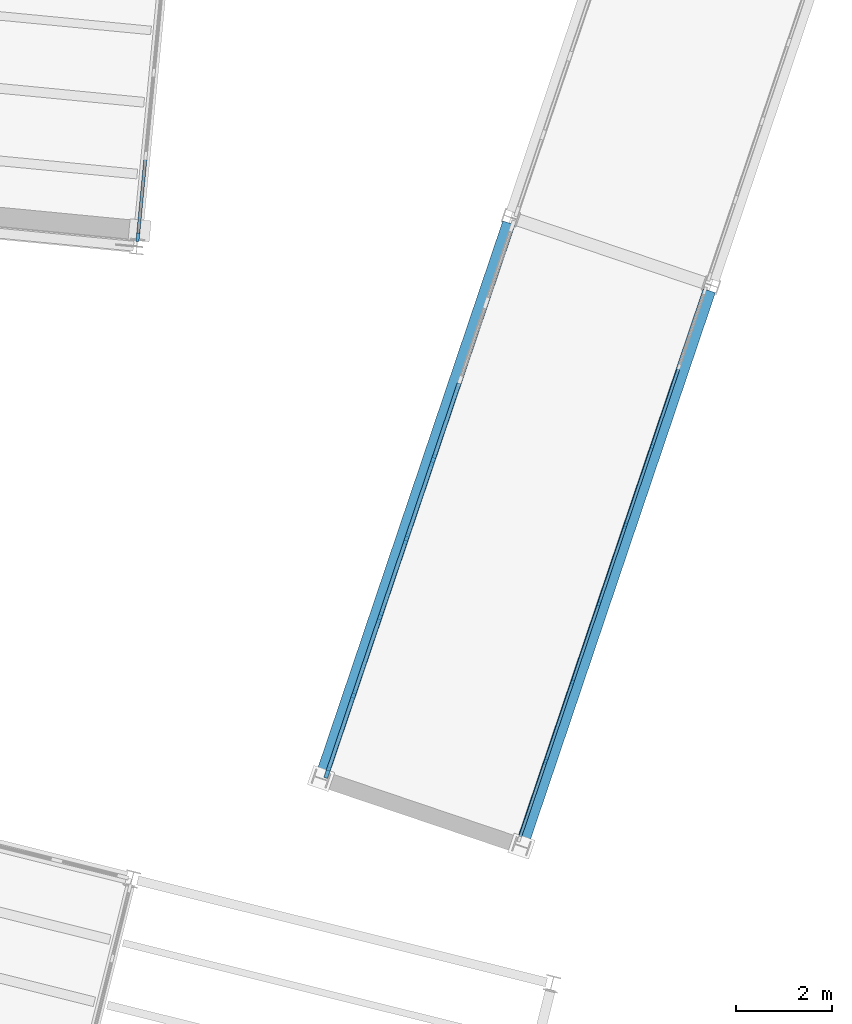
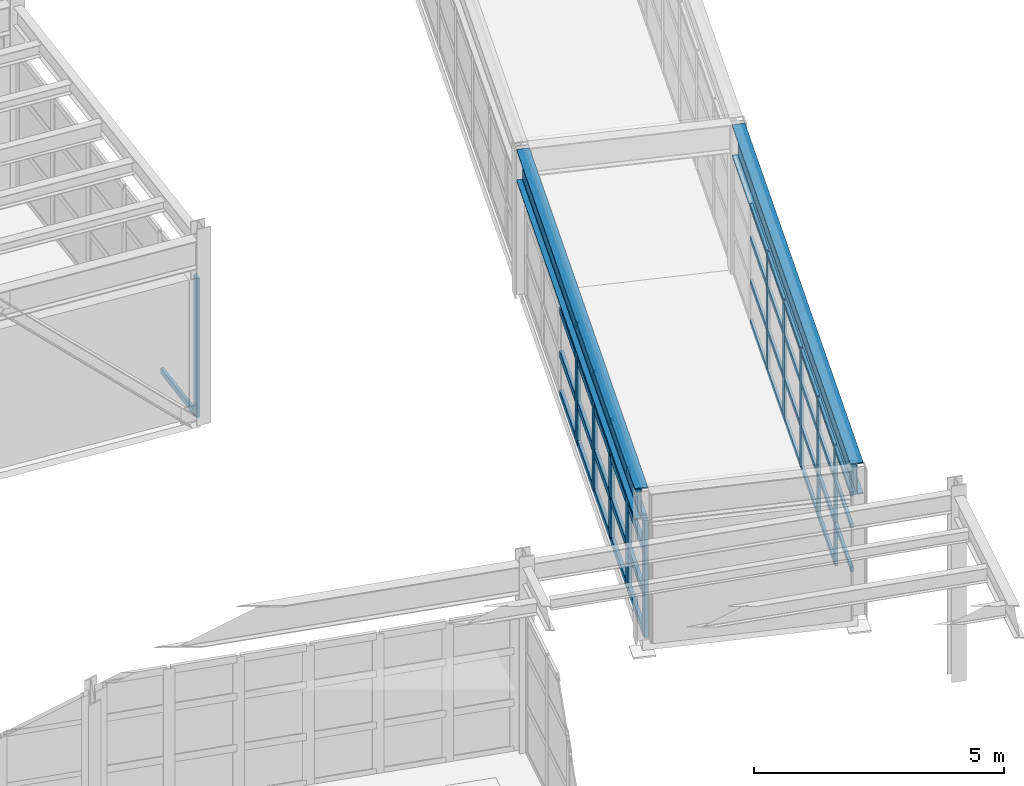
# One storey, part 35 of 102: 55 members, 2 beams, 3 elements without a shape of their own.
"""IFC4 building model written with IfcOpenShell, lengths in metres."""

from ifc_helpers import new_model, si_unit, direction, frame, origin, origin_2d, place, context, subcontext, project, spatial, rectangle, i_section, extrude, material, layer, layer_set, material_profile, profile_set, type_object, element, aggregate, save


model = new_model("IFC4")

# Units and contexts
model_context = context("Model", 3, precision=1e-05, world=origin(), true_north=direction((0.0, 1.0)))
body_context = subcontext(model_context, "Body", "Model", "MODEL_VIEW")
ifc_project = project(units=[si_unit("LENGTHUNIT", "METRE"), si_unit("AREAUNIT", "SQUARE_METRE"), si_unit("VOLUMEUNIT", "CUBIC_METRE"), si_unit("PLANEANGLEUNIT", "RADIAN"), si_unit("MASSUNIT", "GRAM", prefix="KILO")], contexts=[model_context])

# Site, building, storey
site_placement = place(None, origin())
site = spatial("IfcSite", under=ifc_project, at=site_placement, CompositionType="ELEMENT")
building_placement = place(site_placement, origin())
building = spatial("IfcBuilding", under=site, at=building_placement, Name="Vireo Bluff Cable Station", CompositionType="ELEMENT")
storey_placement = place(building_placement, frame((0.0, 0.0, 9.60009765625)))
storey = spatial("IfcBuildingStorey", under=building, at=storey_placement, Name="L02", CompositionType="ELEMENT", Elevation=9.60009765625)

# Curtain wall, member
ifc_material_1 = material(Name="Anodized Aluminium 6063-T6", Category="aluminium")
ifc_layer_1 = layer(ifc_material_1, 0.179931640625, Name="Anodized Aluminium 6063-T6")
ifc_layer_set_1 = layer_set([ifc_layer_1], Name="Anodized Aluminium 6063-T6")
curtain_wall_type_1 = type_object("IfcCurtainWallType", Name="CW-UNIT-1650", PredefinedType="USERDEFINED", material=ifc_layer_set_1)
curtain_wall_1_placement = place(storey_placement, origin())
curtain_wall_1 = element("IfcCurtainWall", 1, at=curtain_wall_1_placement, inside=storey, type_object=curtain_wall_type_1, Name="V3 L02 east curtain wall CW-080", ObjectType="UNITISED CURTAIN WALL", PredefinedType="USERDEFINED")
ifc_material_profile_1 = material_profile(ifc_material_1, rectangle(XDim=0.06494140625, YDim=0.179931640625, at=origin_2d()), Name="ALU-M-65X180")
ifc_profile_set_1 = profile_set([ifc_material_profile_1], Name="Anodized Aluminium 6063-T6")
member_type_1 = type_object("IfcMemberType", Name="CWM-01", PredefinedType="MULLION", material=ifc_profile_set_1)
member_1_placement = place(storey_placement, frame((103.591064453125, 63.74853515625, 0.0), z_axis=(0.0, 0.0, 1.0), x_axis=(0.995396197916, -0.095845757211, 0.0)))
member_1 = element("IfcMember", 2, at=member_1_placement, type_object=member_type_1, Name="CW-080 mullion 6", PredefinedType="MULLION", context=body_context, shape_type="SweptSolid", body=[
    extrude(rectangle(XDim=0.06494140625, YDim=0.179931640625, at=origin_2d()), origin(), (0.0, 0.0, 1.0), 3.39990234375),
])

# Curtain wall, members
ifc_layer_2 = layer(ifc_material_1, 0.159912109375, Name="Anodized Aluminium 6063-T6")
ifc_layer_set_2 = layer_set([ifc_layer_2], Name="Anodized Aluminium 6063-T6")
curtain_wall_type_2 = type_object("IfcCurtainWallType", Name="CW-STICK-1750", PredefinedType="USERDEFINED", material=ifc_layer_set_2)
curtain_wall_2_placement = place(storey_placement, origin())
curtain_wall_2 = element("IfcCurtainWall", 3, at=curtain_wall_2_placement, inside=storey, type_object=curtain_wall_type_2, Name="SKYBR L02 HAUL-DRIVE-1L curtain wall CW-146", ObjectType="STICK CURTAIN WALL", PredefinedType="USERDEFINED")
ifc_material_profile_2 = material_profile(ifc_material_1, rectangle(XDim=0.06005859375, YDim=0.159912109375, at=origin_2d()), Name="ALU-M-60X160")
ifc_profile_set_2 = profile_set([ifc_material_profile_2], Name="Anodized Aluminium 6063-T6")
member_type_2 = type_object("IfcMemberType", Name="CWM-03", PredefinedType="MULLION", material=ifc_profile_set_2)
member_2_placement = place(storey_placement, frame((112.0751953125, 52.858154296875, 0.0), z_axis=(0.0, 0.0, 1.0), x_axis=(-0.947294633724, 0.32036366354, 0.0)))
member_2 = element("IfcMember", 4, at=member_2_placement, type_object=member_type_2, Name="CW-146 mullion 2", PredefinedType="MULLION", context=body_context, shape_type="SweptSolid", body=[
    extrude(rectangle(XDim=0.06005859375, YDim=0.159912109375, at=origin_2d()), origin(), (0.0, 0.0, 1.0), 2.8798828125),
])
member_3_placement = place(storey_placement, frame((112.6279296875, 54.492431640625, 0.0), z_axis=(0.0, 0.0, 1.0), x_axis=(-0.947294633724, 0.32036366354, 0.0)))
member_3 = element("IfcMember", 5, at=member_3_placement, type_object=member_type_2, Name="CW-146 mullion 3", PredefinedType="MULLION", context=body_context, shape_type="SweptSolid", body=[
    extrude(rectangle(XDim=0.06005859375, YDim=0.159912109375, at=origin_2d()), origin(), (0.0, 0.0, 1.0), 2.8798828125),
])
member_4_placement = place(storey_placement, frame((113.180419921875, 56.12646484375, 0.0), z_axis=(0.0, 0.0, 1.0), x_axis=(-0.947294633724, 0.32036366354, 0.0)))
member_4 = element("IfcMember", 6, at=member_4_placement, type_object=member_type_2, Name="CW-146 mullion 4", PredefinedType="MULLION", context=body_context, shape_type="SweptSolid", body=[
    extrude(rectangle(XDim=0.06005859375, YDim=0.159912109375, at=origin_2d()), origin(), (0.0, 0.0, 1.0), 2.8798828125),
])
member_5_placement = place(storey_placement, frame((113.733154296875, 57.7607421875, 0.0), z_axis=(0.0, 0.0, 1.0), x_axis=(-0.947294633724, 0.32036366354, 0.0)))
member_5 = element("IfcMember", 7, at=member_5_placement, type_object=member_type_2, Name="CW-146 mullion 5", PredefinedType="MULLION", context=body_context, shape_type="SweptSolid", body=[
    extrude(rectangle(XDim=0.06005859375, YDim=0.159912109375, at=origin_2d()), origin(), (0.0, 0.0, 1.0), 2.8798828125),
])
member_6_placement = place(storey_placement, frame((114.285888671875, 59.394775390625, 0.0), z_axis=(0.0, 0.0, 1.0), x_axis=(-0.947294633724, 0.32036366354, 0.0)))
member_6 = element("IfcMember", 8, at=member_6_placement, type_object=member_type_2, Name="CW-146 mullion 6", PredefinedType="MULLION", context=body_context, shape_type="SweptSolid", body=[
    extrude(rectangle(XDim=0.06005859375, YDim=0.159912109375, at=origin_2d()), origin(), (0.0, 0.0, 1.0), 2.8798828125),
])

ifc_layer_3 = layer(ifc_material_1, 0.159912109375, Name="Anodized Aluminium 6063-T6")
ifc_layer_set_3 = layer_set([ifc_layer_3], Name="Anodized Aluminium 6063-T6")
curtain_wall_type_3 = type_object("IfcCurtainWallType", Name="CW-STICK-1850", PredefinedType="USERDEFINED", material=ifc_layer_set_3)
curtain_wall_3_placement = place(storey_placement, origin())
curtain_wall_3 = element("IfcCurtainWall", 9, at=curtain_wall_3_placement, inside=storey, type_object=curtain_wall_type_3, Name="SKYBR L02 HAUL-DRIVE-1R curtain wall CW-147", ObjectType="STICK CURTAIN WALL", PredefinedType="USERDEFINED")
ifc_material_profile_3 = material_profile(ifc_material_1, rectangle(XDim=0.080078125, YDim=0.239990234375, at=origin_2d()), Name="ALU-M-80X240")
ifc_profile_set_3 = profile_set([ifc_material_profile_3], Name="Anodized Aluminium 6063-T6")
member_type_3 = type_object("IfcMemberType", Name="CWM-04", PredefinedType="MULLION", material=ifc_profile_set_3)
member_7_placement = place(storey_placement, frame((107.533935546875, 52.614990234375, 0.0), z_axis=(0.0, 0.0, 1.0), x_axis=(-0.947294633724, 0.32036366354, 0.0)))
member_7 = element("IfcMember", 10, at=member_7_placement, type_object=member_type_3, Name="CW-147 mullion 1", PredefinedType="MULLION", context=body_context, shape_type="SweptSolid", body=[
    extrude(rectangle(XDim=0.080078125, YDim=0.239990234375, at=origin_2d()), origin(), (0.0, 0.0, 1.0), 2.8798828125),
])
member_8_placement = place(storey_placement, frame((108.07373046875, 54.21142578125, 0.0), z_axis=(0.0, 0.0, 1.0), x_axis=(-0.947294633724, 0.32036366354, 0.0)))
member_8 = element("IfcMember", 11, at=member_8_placement, type_object=member_type_3, Name="CW-147 mullion 2", PredefinedType="MULLION", context=body_context, shape_type="SweptSolid", body=[
    extrude(rectangle(XDim=0.080078125, YDim=0.239990234375, at=origin_2d()), origin(), (0.0, 0.0, 1.0), 2.8798828125),
])
member_9_placement = place(storey_placement, frame((108.62646484375, 55.845458984375, 0.0), z_axis=(0.0, 0.0, 1.0), x_axis=(-0.947294633724, 0.32036366354, 0.0)))
member_9 = element("IfcMember", 12, at=member_9_placement, type_object=member_type_3, Name="CW-147 mullion 3", PredefinedType="MULLION", context=body_context, shape_type="SweptSolid", body=[
    extrude(rectangle(XDim=0.080078125, YDim=0.239990234375, at=origin_2d()), origin(), (0.0, 0.0, 1.0), 2.8798828125),
])
member_10_placement = place(storey_placement, frame((109.178955078125, 57.479736328125, 0.0), z_axis=(0.0, 0.0, 1.0), x_axis=(-0.947294633724, 0.32036366354, 0.0)))
member_10 = element("IfcMember", 13, at=member_10_placement, type_object=member_type_3, Name="CW-147 mullion 4", PredefinedType="MULLION", context=body_context, shape_type="SweptSolid", body=[
    extrude(rectangle(XDim=0.080078125, YDim=0.239990234375, at=origin_2d()), origin(), (0.0, 0.0, 1.0), 2.8798828125),
])
member_11_placement = place(storey_placement, frame((109.731689453125, 59.11376953125, 0.0), z_axis=(0.0, 0.0, 1.0), x_axis=(-0.947294633724, 0.32036366354, 0.0)))
member_11 = element("IfcMember", 14, at=member_11_placement, type_object=member_type_3, Name="CW-147 mullion 5", PredefinedType="MULLION", context=body_context, shape_type="SweptSolid", body=[
    extrude(rectangle(XDim=0.080078125, YDim=0.239990234375, at=origin_2d()), origin(), (0.0, 0.0, 1.0), 2.8798828125),
])

# Member
ifc_material_profile_4 = material_profile(ifc_material_1, rectangle(XDim=0.06494140625, YDim=0.139892578125, at=origin_2d()), Name="ALU-T-65X140")
ifc_profile_set_4 = profile_set([ifc_material_profile_4], Name="Anodized Aluminium 6063-T6")
member_type_4 = type_object("IfcMemberType", Name="CWT-01", PredefinedType="USERDEFINED", material=ifc_profile_set_4)
member_12_placement = place(storey_placement, frame((103.7509765625, 65.409423828125, 0.032470703125), z_axis=(-0.095794859035, -0.995401097539, 0.0), x_axis=(0.995401097539, -0.095794859035, 0.0)))
member_12 = element("IfcMember", 15, at=member_12_placement, type_object=member_type_4, Name="CW-080 transom 5.1", ObjectType="TRANSOM", PredefinedType="USERDEFINED", context=body_context, shape_type="SweptSolid", body=[
    extrude(rectangle(XDim=0.06494140625, YDim=0.139892578125, at=origin_2d()), origin(), (0.0, 0.0, 1.0), 1.63623046875),
])

aggregate(curtain_wall_1, [member_1, member_12])

ifc_material_profile_5 = material_profile(ifc_material_1, rectangle(XDim=0.06005859375, YDim=0.1201171875, at=origin_2d()), Name="ALU-T-60X120")
ifc_profile_set_5 = profile_set([ifc_material_profile_5], Name="Anodized Aluminium 6063-T6")
member_type_5 = type_object("IfcMemberType", Name="CWT-03", PredefinedType="USERDEFINED", material=ifc_profile_set_5)
member_13_placement = place(storey_placement, frame((111.541748046875, 51.28076171875, 1.0078125), z_axis=(0.320256106825, 0.947331001309, 0.0), x_axis=(-0.947331001309, 0.320256106825, 0.0)))
member_13 = element("IfcMember", 16, at=member_13_placement, type_object=member_type_5, Name="CW-146 transom 1.2", ObjectType="TRANSOM", PredefinedType="USERDEFINED", context=body_context, shape_type="SweptSolid", body=[
    extrude(rectangle(XDim=0.06005859375, YDim=0.1201171875, at=origin_2d()), origin(), (0.0, 0.0, 1.0), 1.63525390625),
])

member_14_placement = place(storey_placement, frame((111.541748046875, 51.28076171875, 2.073486328125), z_axis=(0.320256106825, 0.947331001309, 0.0), x_axis=(-0.947331001309, 0.320256106825, 0.0)))
member_14 = element("IfcMember", 17, at=member_14_placement, type_object=member_type_5, Name="CW-146 transom 1.3", ObjectType="TRANSOM", PredefinedType="USERDEFINED", context=body_context, shape_type="SweptSolid", body=[
    extrude(rectangle(XDim=0.06005859375, YDim=0.1201171875, at=origin_2d()), origin(), (0.0, 0.0, 1.0), 1.63525390625),
])

member_15_placement = place(storey_placement, frame((111.541748046875, 51.28076171875, 2.849853515625), z_axis=(0.320256106825, 0.947331001309, 0.0), x_axis=(-0.947331001309, 0.320256106825, 0.0)))
member_15 = element("IfcMember", 18, at=member_15_placement, type_object=member_type_5, Name="CW-146 transom 1.4", ObjectType="TRANSOM", PredefinedType="USERDEFINED", context=body_context, shape_type="SweptSolid", body=[
    extrude(rectangle(XDim=0.06005859375, YDim=0.1201171875, at=origin_2d()), origin(), (0.0, 0.0, 1.0), 1.63525390625),
])

member_16_placement = place(storey_placement, frame((112.084716796875, 52.886474609375, 0.02978515625), z_axis=(0.320359378023, 0.947296083024, 0.0), x_axis=(-0.947296083024, 0.320359378023, 0.0)))
member_16 = element("IfcMember", 19, at=member_16_placement, type_object=member_type_5, Name="CW-146 transom 2.1", ObjectType="TRANSOM", PredefinedType="USERDEFINED", context=body_context, shape_type="SweptSolid", body=[
    extrude(rectangle(XDim=0.06005859375, YDim=0.1201171875, at=origin_2d()), origin(), (0.0, 0.0, 1.0), 1.6650390625),
])

member_17_placement = place(storey_placement, frame((112.084716796875, 52.886474609375, 1.0078125), z_axis=(0.320359378023, 0.947296083024, 0.0), x_axis=(-0.947296083024, 0.320359378023, 0.0)))
member_17 = element("IfcMember", 20, at=member_17_placement, type_object=member_type_5, Name="CW-146 transom 2.2", ObjectType="TRANSOM", PredefinedType="USERDEFINED", context=body_context, shape_type="SweptSolid", body=[
    extrude(rectangle(XDim=0.06005859375, YDim=0.1201171875, at=origin_2d()), origin(), (0.0, 0.0, 1.0), 1.6650390625),
])

member_18_placement = place(storey_placement, frame((112.084716796875, 52.886474609375, 2.073486328125), z_axis=(0.320359378023, 0.947296083024, 0.0), x_axis=(-0.947296083024, 0.320359378023, 0.0)))
member_18 = element("IfcMember", 21, at=member_18_placement, type_object=member_type_5, Name="CW-146 transom 2.3", ObjectType="TRANSOM", PredefinedType="USERDEFINED", context=body_context, shape_type="SweptSolid", body=[
    extrude(rectangle(XDim=0.06005859375, YDim=0.1201171875, at=origin_2d()), origin(), (0.0, 0.0, 1.0), 1.6650390625),
])

member_19_placement = place(storey_placement, frame((112.084716796875, 52.886474609375, 2.849853515625), z_axis=(0.320359378023, 0.947296083024, 0.0), x_axis=(-0.947296083024, 0.320359378023, 0.0)))
member_19 = element("IfcMember", 22, at=member_19_placement, type_object=member_type_5, Name="CW-146 transom 2.4", ObjectType="TRANSOM", PredefinedType="USERDEFINED", context=body_context, shape_type="SweptSolid", body=[
    extrude(rectangle(XDim=0.06005859375, YDim=0.1201171875, at=origin_2d()), origin(), (0.0, 0.0, 1.0), 1.6650390625),
])

member_20_placement = place(storey_placement, frame((112.637451171875, 54.520751953125, 0.02978515625), z_axis=(0.320359378023, 0.947296083024, 0.0), x_axis=(-0.947296083024, 0.320359378023, 0.0)))
member_20 = element("IfcMember", 23, at=member_20_placement, type_object=member_type_5, Name="CW-146 transom 3.1", ObjectType="TRANSOM", PredefinedType="USERDEFINED", context=body_context, shape_type="SweptSolid", body=[
    extrude(rectangle(XDim=0.06005859375, YDim=0.1201171875, at=origin_2d()), origin(), (0.0, 0.0, 1.0), 1.6650390625),
])

member_21_placement = place(storey_placement, frame((112.637451171875, 54.520751953125, 1.0078125), z_axis=(0.320359378023, 0.947296083024, 0.0), x_axis=(-0.947296083024, 0.320359378023, 0.0)))
member_21 = element("IfcMember", 24, at=member_21_placement, type_object=member_type_5, Name="CW-146 transom 3.2", ObjectType="TRANSOM", PredefinedType="USERDEFINED", context=body_context, shape_type="SweptSolid", body=[
    extrude(rectangle(XDim=0.06005859375, YDim=0.1201171875, at=origin_2d()), origin(), (0.0, 0.0, 1.0), 1.6650390625),
])

member_22_placement = place(storey_placement, frame((112.637451171875, 54.520751953125, 2.073486328125), z_axis=(0.320359378023, 0.947296083024, 0.0), x_axis=(-0.947296083024, 0.320359378023, 0.0)))
member_22 = element("IfcMember", 25, at=member_22_placement, type_object=member_type_5, Name="CW-146 transom 3.3", ObjectType="TRANSOM", PredefinedType="USERDEFINED", context=body_context, shape_type="SweptSolid", body=[
    extrude(rectangle(XDim=0.06005859375, YDim=0.1201171875, at=origin_2d()), origin(), (0.0, 0.0, 1.0), 1.6650390625),
])

member_23_placement = place(storey_placement, frame((112.637451171875, 54.520751953125, 2.849853515625), z_axis=(0.320359378023, 0.947296083024, 0.0), x_axis=(-0.947296083024, 0.320359378023, 0.0)))
member_23 = element("IfcMember", 26, at=member_23_placement, type_object=member_type_5, Name="CW-146 transom 3.4", ObjectType="TRANSOM", PredefinedType="USERDEFINED", context=body_context, shape_type="SweptSolid", body=[
    extrude(rectangle(XDim=0.06005859375, YDim=0.1201171875, at=origin_2d()), origin(), (0.0, 0.0, 1.0), 1.6650390625),
])

member_24_placement = place(storey_placement, frame((113.190185546875, 56.155029296875, 0.02978515625), z_axis=(0.320403878643, 0.947281032509, 0.0), x_axis=(-0.947281032509, 0.320403878643, 0.0)))
member_24 = element("IfcMember", 27, at=member_24_placement, type_object=member_type_5, Name="CW-146 transom 4.1", ObjectType="TRANSOM", PredefinedType="USERDEFINED", context=body_context, shape_type="SweptSolid", body=[
    extrude(rectangle(XDim=0.06005859375, YDim=0.1201171875, at=origin_2d()), origin(), (0.0, 0.0, 1.0), 1.6650390625),
])

member_25_placement = place(storey_placement, frame((113.190185546875, 56.155029296875, 1.0078125), z_axis=(0.320403878643, 0.947281032509, 0.0), x_axis=(-0.947281032509, 0.320403878643, 0.0)))
member_25 = element("IfcMember", 28, at=member_25_placement, type_object=member_type_5, Name="CW-146 transom 4.2", ObjectType="TRANSOM", PredefinedType="USERDEFINED", context=body_context, shape_type="SweptSolid", body=[
    extrude(rectangle(XDim=0.06005859375, YDim=0.1201171875, at=origin_2d()), origin(), (0.0, 0.0, 1.0), 1.6650390625),
])

member_26_placement = place(storey_placement, frame((113.190185546875, 56.155029296875, 2.073486328125), z_axis=(0.320403878643, 0.947281032509, 0.0), x_axis=(-0.947281032509, 0.320403878643, 0.0)))
member_26 = element("IfcMember", 29, at=member_26_placement, type_object=member_type_5, Name="CW-146 transom 4.3", ObjectType="TRANSOM", PredefinedType="USERDEFINED", context=body_context, shape_type="SweptSolid", body=[
    extrude(rectangle(XDim=0.06005859375, YDim=0.1201171875, at=origin_2d()), origin(), (0.0, 0.0, 1.0), 1.6650390625),
])

member_27_placement = place(storey_placement, frame((113.190185546875, 56.155029296875, 2.849853515625), z_axis=(0.320403878643, 0.947281032509, 0.0), x_axis=(-0.947281032509, 0.320403878643, 0.0)))
member_27 = element("IfcMember", 30, at=member_27_placement, type_object=member_type_5, Name="CW-146 transom 4.4", ObjectType="TRANSOM", PredefinedType="USERDEFINED", context=body_context, shape_type="SweptSolid", body=[
    extrude(rectangle(XDim=0.06005859375, YDim=0.1201171875, at=origin_2d()), origin(), (0.0, 0.0, 1.0), 1.6650390625),
])

member_28_placement = place(storey_placement, frame((113.74267578125, 57.7890625, 0.02978515625), z_axis=(0.320359378023, 0.947296083024, 0.0), x_axis=(-0.947296083024, 0.320359378023, 0.0)))
member_28 = element("IfcMember", 31, at=member_28_placement, type_object=member_type_5, Name="CW-146 transom 5.1", ObjectType="TRANSOM", PredefinedType="USERDEFINED", context=body_context, shape_type="SweptSolid", body=[
    extrude(rectangle(XDim=0.06005859375, YDim=0.1201171875, at=origin_2d()), origin(), (0.0, 0.0, 1.0), 1.6650390625),
])

member_29_placement = place(storey_placement, frame((113.74267578125, 57.7890625, 1.0078125), z_axis=(0.320359378023, 0.947296083024, 0.0), x_axis=(-0.947296083024, 0.320359378023, 0.0)))
member_29 = element("IfcMember", 32, at=member_29_placement, type_object=member_type_5, Name="CW-146 transom 5.2", ObjectType="TRANSOM", PredefinedType="USERDEFINED", context=body_context, shape_type="SweptSolid", body=[
    extrude(rectangle(XDim=0.06005859375, YDim=0.1201171875, at=origin_2d()), origin(), (0.0, 0.0, 1.0), 1.6650390625),
])

member_30_placement = place(storey_placement, frame((113.74267578125, 57.7890625, 2.073486328125), z_axis=(0.320359378023, 0.947296083024, 0.0), x_axis=(-0.947296083024, 0.320359378023, 0.0)))
member_30 = element("IfcMember", 33, at=member_30_placement, type_object=member_type_5, Name="CW-146 transom 5.3", ObjectType="TRANSOM", PredefinedType="USERDEFINED", context=body_context, shape_type="SweptSolid", body=[
    extrude(rectangle(XDim=0.06005859375, YDim=0.1201171875, at=origin_2d()), origin(), (0.0, 0.0, 1.0), 1.6650390625),
])

member_31_placement = place(storey_placement, frame((113.74267578125, 57.7890625, 2.849853515625), z_axis=(0.320359378023, 0.947296083024, 0.0), x_axis=(-0.947296083024, 0.320359378023, 0.0)))
member_31 = element("IfcMember", 34, at=member_31_placement, type_object=member_type_5, Name="CW-146 transom 5.4", ObjectType="TRANSOM", PredefinedType="USERDEFINED", context=body_context, shape_type="SweptSolid", body=[
    extrude(rectangle(XDim=0.06005859375, YDim=0.1201171875, at=origin_2d()), origin(), (0.0, 0.0, 1.0), 1.6650390625),
])

member_32_placement = place(storey_placement, frame((114.29541015625, 59.42333984375, 0.02978515625), z_axis=(0.320403878643, 0.947281032509, 0.0), x_axis=(-0.947281032509, 0.320403878643, 0.0)))
member_32 = element("IfcMember", 35, at=member_32_placement, type_object=member_type_5, Name="CW-146 transom 6.1", ObjectType="TRANSOM", PredefinedType="USERDEFINED", context=body_context, shape_type="SweptSolid", body=[
    extrude(rectangle(XDim=0.06005859375, YDim=0.1201171875, at=origin_2d()), origin(), (0.0, 0.0, 1.0), 1.6650390625),
])

member_33_placement = place(storey_placement, frame((114.29541015625, 59.42333984375, 1.0078125), z_axis=(0.320403878643, 0.947281032509, 0.0), x_axis=(-0.947281032509, 0.320403878643, 0.0)))
member_33 = element("IfcMember", 36, at=member_33_placement, type_object=member_type_5, Name="CW-146 transom 6.2", ObjectType="TRANSOM", PredefinedType="USERDEFINED", context=body_context, shape_type="SweptSolid", body=[
    extrude(rectangle(XDim=0.06005859375, YDim=0.1201171875, at=origin_2d()), origin(), (0.0, 0.0, 1.0), 1.6650390625),
])

member_34_placement = place(storey_placement, frame((114.29541015625, 59.42333984375, 2.073486328125), z_axis=(0.320403878643, 0.947281032509, 0.0), x_axis=(-0.947281032509, 0.320403878643, 0.0)))
member_34 = element("IfcMember", 37, at=member_34_placement, type_object=member_type_5, Name="CW-146 transom 6.3", ObjectType="TRANSOM", PredefinedType="USERDEFINED", context=body_context, shape_type="SweptSolid", body=[
    extrude(rectangle(XDim=0.06005859375, YDim=0.1201171875, at=origin_2d()), origin(), (0.0, 0.0, 1.0), 1.6650390625),
])

member_35_placement = place(storey_placement, frame((114.29541015625, 59.42333984375, 2.849853515625), z_axis=(0.320403878643, 0.947281032509, 0.0), x_axis=(-0.947281032509, 0.320403878643, 0.0)))
member_35 = element("IfcMember", 38, at=member_35_placement, type_object=member_type_5, Name="CW-146 transom 6.4", ObjectType="TRANSOM", PredefinedType="USERDEFINED", context=body_context, shape_type="SweptSolid", body=[
    extrude(rectangle(XDim=0.06005859375, YDim=0.1201171875, at=origin_2d()), origin(), (0.0, 0.0, 1.0), 1.6650390625),
])

aggregate(curtain_wall_2, [member_2, member_3, member_4, member_5, member_6, member_13, member_14, member_15, member_16, member_17, member_18, member_19, member_20, member_21, member_22, member_23, member_24, member_25, member_26, member_27, member_28, member_29, member_30, member_31, member_32, member_33, member_34, member_35])

ifc_material_profile_6 = material_profile(ifc_material_1, rectangle(XDim=0.080078125, YDim=0.175048828125, at=origin_2d()), Name="ALU-T-80X175")
ifc_profile_set_6 = profile_set([ifc_material_profile_6], Name="Anodized Aluminium 6063-T6")
member_type_6 = type_object("IfcMemberType", Name="CWT-04", PredefinedType="USERDEFINED", material=ifc_profile_set_6)
member_36_placement = place(storey_placement, frame((107.546630859375, 52.653076171875, 0.039794921875), z_axis=(0.320468105112, 0.947259306424, 0.0), x_axis=(-0.947259306424, 0.320468105112, 0.0)))
member_36 = element("IfcMember", 39, at=member_36_placement, type_object=member_type_6, Name="CW-147 transom 1.1", ObjectType="TRANSOM", PredefinedType="USERDEFINED", context=body_context, shape_type="SweptSolid", body=[
    extrude(rectangle(XDim=0.080078125, YDim=0.175048828125, at=origin_2d()), origin(), (0.0, 0.0, 1.0), 1.605224609375),
])

member_37_placement = place(storey_placement, frame((107.546630859375, 52.653076171875, 1.0078125), z_axis=(0.320468105112, 0.947259306424, 0.0), x_axis=(-0.947259306424, 0.320468105112, 0.0)))
member_37 = element("IfcMember", 40, at=member_37_placement, type_object=member_type_6, Name="CW-147 transom 1.2", ObjectType="TRANSOM", PredefinedType="USERDEFINED", context=body_context, shape_type="SweptSolid", body=[
    extrude(rectangle(XDim=0.080078125, YDim=0.175048828125, at=origin_2d()), origin(), (0.0, 0.0, 1.0), 1.605224609375),
])

member_38_placement = place(storey_placement, frame((107.546630859375, 52.653076171875, 2.073486328125), z_axis=(0.320468105112, 0.947259306424, 0.0), x_axis=(-0.947259306424, 0.320468105112, 0.0)))
member_38 = element("IfcMember", 41, at=member_38_placement, type_object=member_type_6, Name="CW-147 transom 1.3", ObjectType="TRANSOM", PredefinedType="USERDEFINED", context=body_context, shape_type="SweptSolid", body=[
    extrude(rectangle(XDim=0.080078125, YDim=0.175048828125, at=origin_2d()), origin(), (0.0, 0.0, 1.0), 1.605224609375),
])

member_39_placement = place(storey_placement, frame((107.546630859375, 52.653076171875, 2.83984375), z_axis=(0.320468105112, 0.947259306424, 0.0), x_axis=(-0.947259306424, 0.320468105112, 0.0)))
member_39 = element("IfcMember", 42, at=member_39_placement, type_object=member_type_6, Name="CW-147 transom 1.4", ObjectType="TRANSOM", PredefinedType="USERDEFINED", context=body_context, shape_type="SweptSolid", body=[
    extrude(rectangle(XDim=0.080078125, YDim=0.175048828125, at=origin_2d()), origin(), (0.0, 0.0, 1.0), 1.605224609375),
])

member_40_placement = place(storey_placement, frame((108.086669921875, 54.249267578125, 0.039794921875), z_axis=(0.320276573564, 0.947324082047, 0.0), x_axis=(-0.947324082047, 0.320276573564, 0.0)))
member_40 = element("IfcMember", 43, at=member_40_placement, type_object=member_type_6, Name="CW-147 transom 2.1", ObjectType="TRANSOM", PredefinedType="USERDEFINED", context=body_context, shape_type="SweptSolid", body=[
    extrude(rectangle(XDim=0.080078125, YDim=0.175048828125, at=origin_2d()), origin(), (0.0, 0.0, 1.0), 1.64501953125),
])

member_41_placement = place(storey_placement, frame((108.086669921875, 54.249267578125, 1.0078125), z_axis=(0.320276573564, 0.947324082047, 0.0), x_axis=(-0.947324082047, 0.320276573564, 0.0)))
member_41 = element("IfcMember", 44, at=member_41_placement, type_object=member_type_6, Name="CW-147 transom 2.2", ObjectType="TRANSOM", PredefinedType="USERDEFINED", context=body_context, shape_type="SweptSolid", body=[
    extrude(rectangle(XDim=0.080078125, YDim=0.175048828125, at=origin_2d()), origin(), (0.0, 0.0, 1.0), 1.64501953125),
])

member_42_placement = place(storey_placement, frame((108.086669921875, 54.249267578125, 2.073486328125), z_axis=(0.320276573564, 0.947324082047, 0.0), x_axis=(-0.947324082047, 0.320276573564, 0.0)))
member_42 = element("IfcMember", 45, at=member_42_placement, type_object=member_type_6, Name="CW-147 transom 2.3", ObjectType="TRANSOM", PredefinedType="USERDEFINED", context=body_context, shape_type="SweptSolid", body=[
    extrude(rectangle(XDim=0.080078125, YDim=0.175048828125, at=origin_2d()), origin(), (0.0, 0.0, 1.0), 1.64501953125),
])

member_43_placement = place(storey_placement, frame((108.086669921875, 54.249267578125, 2.83984375), z_axis=(0.320276573564, 0.947324082047, 0.0), x_axis=(-0.947324082047, 0.320276573564, 0.0)))
member_43 = element("IfcMember", 46, at=member_43_placement, type_object=member_type_6, Name="CW-147 transom 2.4", ObjectType="TRANSOM", PredefinedType="USERDEFINED", context=body_context, shape_type="SweptSolid", body=[
    extrude(rectangle(XDim=0.080078125, YDim=0.175048828125, at=origin_2d()), origin(), (0.0, 0.0, 1.0), 1.64501953125),
])

member_44_placement = place(storey_placement, frame((108.63916015625, 55.883544921875, 0.039794921875), z_axis=(0.320409753843, 0.947279045288, 0.0), x_axis=(-0.947279045288, 0.320409753843, 0.0)))
member_44 = element("IfcMember", 47, at=member_44_placement, type_object=member_type_6, Name="CW-147 transom 3.1", ObjectType="TRANSOM", PredefinedType="USERDEFINED", context=body_context, shape_type="SweptSolid", body=[
    extrude(rectangle(XDim=0.080078125, YDim=0.175048828125, at=origin_2d()), origin(), (0.0, 0.0, 1.0), 1.64501953125),
])

member_45_placement = place(storey_placement, frame((108.63916015625, 55.883544921875, 1.0078125), z_axis=(0.320409753843, 0.947279045288, 0.0), x_axis=(-0.947279045288, 0.320409753843, 0.0)))
member_45 = element("IfcMember", 48, at=member_45_placement, type_object=member_type_6, Name="CW-147 transom 3.2", ObjectType="TRANSOM", PredefinedType="USERDEFINED", context=body_context, shape_type="SweptSolid", body=[
    extrude(rectangle(XDim=0.080078125, YDim=0.175048828125, at=origin_2d()), origin(), (0.0, 0.0, 1.0), 1.64501953125),
])

member_46_placement = place(storey_placement, frame((108.63916015625, 55.883544921875, 2.073486328125), z_axis=(0.320409753843, 0.947279045288, 0.0), x_axis=(-0.947279045288, 0.320409753843, 0.0)))
member_46 = element("IfcMember", 49, at=member_46_placement, type_object=member_type_6, Name="CW-147 transom 3.3", ObjectType="TRANSOM", PredefinedType="USERDEFINED", context=body_context, shape_type="SweptSolid", body=[
    extrude(rectangle(XDim=0.080078125, YDim=0.175048828125, at=origin_2d()), origin(), (0.0, 0.0, 1.0), 1.64501953125),
])

member_47_placement = place(storey_placement, frame((108.63916015625, 55.883544921875, 2.83984375), z_axis=(0.320409753843, 0.947279045288, 0.0), x_axis=(-0.947279045288, 0.320409753843, 0.0)))
member_47 = element("IfcMember", 50, at=member_47_placement, type_object=member_type_6, Name="CW-147 transom 3.4", ObjectType="TRANSOM", PredefinedType="USERDEFINED", context=body_context, shape_type="SweptSolid", body=[
    extrude(rectangle(XDim=0.080078125, YDim=0.175048828125, at=origin_2d()), origin(), (0.0, 0.0, 1.0), 1.64501953125),
])

member_48_placement = place(storey_placement, frame((109.19189453125, 57.517578125, 0.039794921875), z_axis=(0.320409753843, 0.947279045288, 0.0), x_axis=(-0.947279045288, 0.320409753843, 0.0)))
member_48 = element("IfcMember", 51, at=member_48_placement, type_object=member_type_6, Name="CW-147 transom 4.1", ObjectType="TRANSOM", PredefinedType="USERDEFINED", context=body_context, shape_type="SweptSolid", body=[
    extrude(rectangle(XDim=0.080078125, YDim=0.175048828125, at=origin_2d()), origin(), (0.0, 0.0, 1.0), 1.64501953125),
])

member_49_placement = place(storey_placement, frame((109.19189453125, 57.517578125, 1.0078125), z_axis=(0.320409753843, 0.947279045288, 0.0), x_axis=(-0.947279045288, 0.320409753843, 0.0)))
member_49 = element("IfcMember", 52, at=member_49_placement, type_object=member_type_6, Name="CW-147 transom 4.2", ObjectType="TRANSOM", PredefinedType="USERDEFINED", context=body_context, shape_type="SweptSolid", body=[
    extrude(rectangle(XDim=0.080078125, YDim=0.175048828125, at=origin_2d()), origin(), (0.0, 0.0, 1.0), 1.64501953125),
])

member_50_placement = place(storey_placement, frame((109.19189453125, 57.517578125, 2.073486328125), z_axis=(0.320409753843, 0.947279045288, 0.0), x_axis=(-0.947279045288, 0.320409753843, 0.0)))
member_50 = element("IfcMember", 53, at=member_50_placement, type_object=member_type_6, Name="CW-147 transom 4.3", ObjectType="TRANSOM", PredefinedType="USERDEFINED", context=body_context, shape_type="SweptSolid", body=[
    extrude(rectangle(XDim=0.080078125, YDim=0.175048828125, at=origin_2d()), origin(), (0.0, 0.0, 1.0), 1.64501953125),
])

member_51_placement = place(storey_placement, frame((109.19189453125, 57.517578125, 2.83984375), z_axis=(0.320409753843, 0.947279045288, 0.0), x_axis=(-0.947279045288, 0.320409753843, 0.0)))
member_51 = element("IfcMember", 54, at=member_51_placement, type_object=member_type_6, Name="CW-147 transom 4.4", ObjectType="TRANSOM", PredefinedType="USERDEFINED", context=body_context, shape_type="SweptSolid", body=[
    extrude(rectangle(XDim=0.080078125, YDim=0.175048828125, at=origin_2d()), origin(), (0.0, 0.0, 1.0), 1.64501953125),
])

member_52_placement = place(storey_placement, frame((109.74462890625, 59.15185546875, 0.039794921875), z_axis=(0.320276573564, 0.947324082047, 0.0), x_axis=(-0.947324082047, 0.320276573564, 0.0)))
member_52 = element("IfcMember", 55, at=member_52_placement, type_object=member_type_6, Name="CW-147 transom 5.1", ObjectType="TRANSOM", PredefinedType="USERDEFINED", context=body_context, shape_type="SweptSolid", body=[
    extrude(rectangle(XDim=0.080078125, YDim=0.175048828125, at=origin_2d()), origin(), (0.0, 0.0, 1.0), 1.64501953125),
])

member_53_placement = place(storey_placement, frame((109.74462890625, 59.15185546875, 1.0078125), z_axis=(0.320276573564, 0.947324082047, 0.0), x_axis=(-0.947324082047, 0.320276573564, 0.0)))
member_53 = element("IfcMember", 56, at=member_53_placement, type_object=member_type_6, Name="CW-147 transom 5.2", ObjectType="TRANSOM", PredefinedType="USERDEFINED", context=body_context, shape_type="SweptSolid", body=[
    extrude(rectangle(XDim=0.080078125, YDim=0.175048828125, at=origin_2d()), origin(), (0.0, 0.0, 1.0), 1.64501953125),
])

member_54_placement = place(storey_placement, frame((109.74462890625, 59.15185546875, 2.073486328125), z_axis=(0.320276573564, 0.947324082047, 0.0), x_axis=(-0.947324082047, 0.320276573564, 0.0)))
member_54 = element("IfcMember", 57, at=member_54_placement, type_object=member_type_6, Name="CW-147 transom 5.3", ObjectType="TRANSOM", PredefinedType="USERDEFINED", context=body_context, shape_type="SweptSolid", body=[
    extrude(rectangle(XDim=0.080078125, YDim=0.175048828125, at=origin_2d()), origin(), (0.0, 0.0, 1.0), 1.64501953125),
])

member_55_placement = place(storey_placement, frame((109.74462890625, 59.15185546875, 2.83984375), z_axis=(0.320276573564, 0.947324082047, 0.0), x_axis=(-0.947324082047, 0.320276573564, 0.0)))
member_55 = element("IfcMember", 58, at=member_55_placement, type_object=member_type_6, Name="CW-147 transom 5.4", ObjectType="TRANSOM", PredefinedType="USERDEFINED", context=body_context, shape_type="SweptSolid", body=[
    extrude(rectangle(XDim=0.080078125, YDim=0.175048828125, at=origin_2d()), origin(), (0.0, 0.0, 1.0), 1.64501953125),
])

aggregate(curtain_wall_3, [member_7, member_8, member_9, member_10, member_11, member_36, member_37, member_38, member_39, member_40, member_41, member_42, member_43, member_44, member_45, member_46, member_47, member_48, member_49, member_50, member_51, member_52, member_53, member_54, member_55])

# Beams
ifc_material_2 = material(Name="Steel ASTM A992 Gr. 50", Category="steel")
ifc_material_profile_7 = material_profile(ifc_material_2, i_section(OverallWidth=0.26708984375, OverallDepth=0.77001953125, WebThickness=0.015625, FlangeThickness=0.025390625, FilletRadius=0.01611328125, at=origin_2d()), Name="W30X132")
ifc_profile_set_7 = profile_set([ifc_material_profile_7], Name="Steel ASTM A992 Gr. 50")
beam_type = type_object("IfcBeamType", Name="EXTGIR-W30X132", PredefinedType="USERDEFINED", material=ifc_profile_set_7)
for number, where, z_axis, x_axis, name in (
    (59, (111.60595703125, 51.19580078125, 3.25), (0.320349184823, 0.947299530129, 0.0), (-0.947299530129, 0.320349184823, 0.0), "HAUL-DRIVE skybridge roof girder 1L"),
    (60, (107.437744140625, 52.60546875, 3.25), (0.320367327519, 0.947293394603, 0.0), (-0.947293394603, 0.320367327519, 0.0), "HAUL-DRIVE skybridge roof girder 1R"),
):
    element("IfcBeam", number, at=place(storey_placement, frame(where, z_axis=z_axis, x_axis=x_axis)), inside=storey, type_object=beam_type, Name=name, ObjectType="GIRDER", PredefinedType="USERDEFINED", context=body_context, shape_type="SweptSolid", body=[
        extrude(i_section(OverallWidth=0.26708984375, OverallDepth=0.77001953125, WebThickness=0.015625, FlangeThickness=0.025390625, FilletRadius=0.01611328125, at=origin_2d()), origin(), (0.0, 0.0, 1.0), 12.07568359375),
    ])

save(model, "model.ifc")
